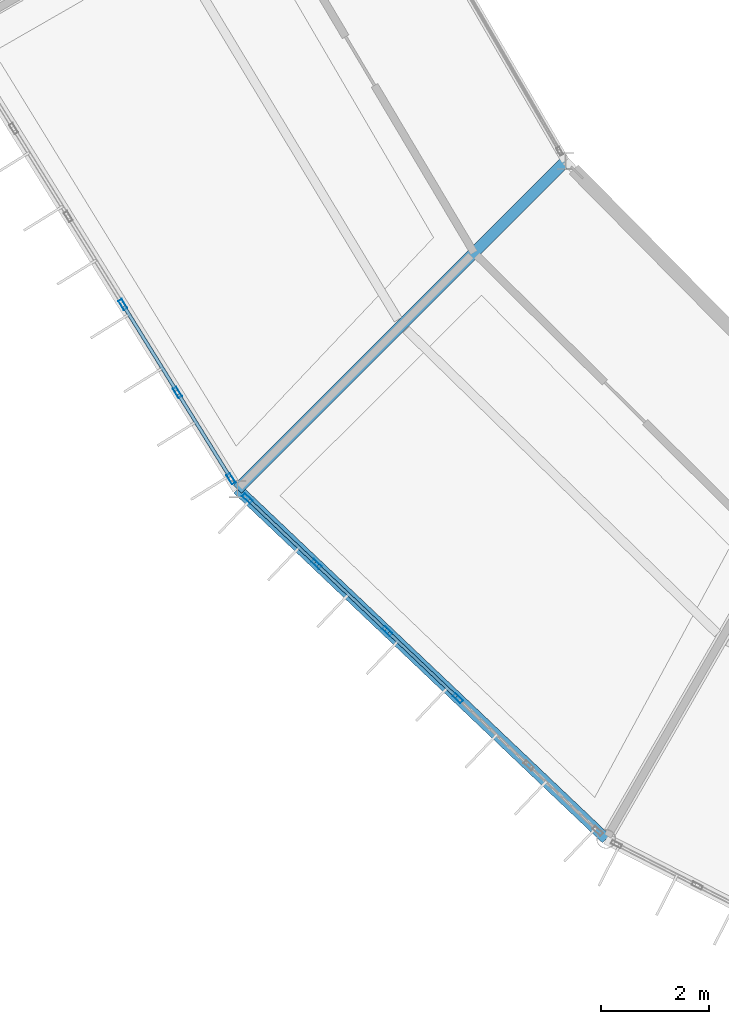
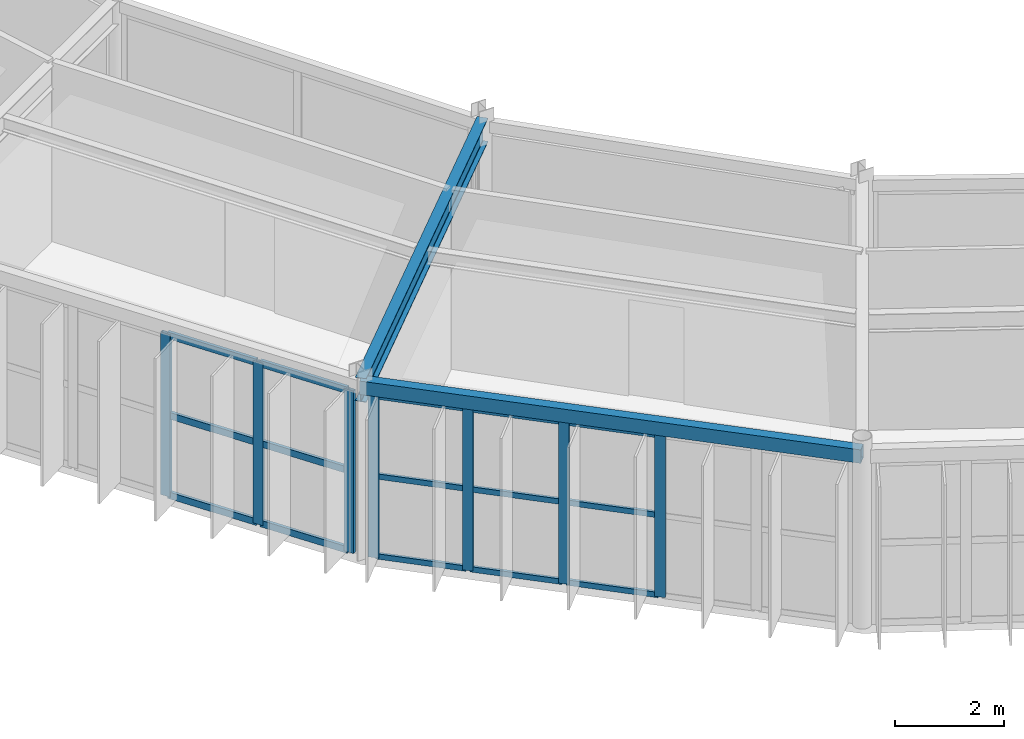
# One storey, part 26 of 147: 22 members, 2 beams, 2 elements without a shape of their own.
"""IFC4 building model written with IfcOpenShell, lengths in metres."""

from ifc_helpers import new_model, si_unit, direction, frame, origin, origin_2d, place, context, subcontext, project, spatial, hollow_rectangle, i_section, extrude, material, material_profile, profile_set, type_object, element, aggregate, save


model = new_model("IFC4")

# Units and contexts
model_context = context("Model", 3, precision=1e-05, world=origin(), true_north=direction((0.0, 1.0)))
body_context = subcontext(model_context, "Body", "Model", "MODEL_VIEW")
ifc_project = project(units=[si_unit("LENGTHUNIT", "METRE"), si_unit("AREAUNIT", "SQUARE_METRE"), si_unit("VOLUMEUNIT", "CUBIC_METRE"), si_unit("PLANEANGLEUNIT", "RADIAN"), si_unit("MASSUNIT", "GRAM", prefix="KILO")], contexts=[model_context])

# Site, building, storey
site_placement = place(None, origin())
site = spatial("IfcSite", under=ifc_project, at=site_placement, CompositionType="ELEMENT")
building_placement = place(site_placement, origin())
building = spatial("IfcBuilding", under=site, at=building_placement, Name="Karori Crest Natural Sciences Institute", CompositionType="ELEMENT")
storey_placement = place(building_placement, frame((0.0, 0.0, 9.10009765625)))
storey = spatial("IfcBuildingStorey", under=building, at=storey_placement, Name="L02", CompositionType="ELEMENT", Elevation=9.10009765625)

# Beams
ifc_material_1 = material(Name="Structural steel AS/NZS 3679.1 Grade 350", Category="steel")
ifc_material_profile_1 = material_profile(ifc_material_1, i_section(OverallWidth=0.208984375, OverallDepth=0.532958984375, WebThickness=0.01025390625, FlangeThickness=0.015625, FilletRadius=0.013916015625, at=origin_2d()), Name="530UB92.4")
ifc_profile_set_1 = profile_set([ifc_material_profile_1], Name="Structural steel AS/NZS 3679.1 Grade 350")
beam_type_1 = type_object("IfcBeamType", Name="BT-05", PredefinedType="BEAM", material=ifc_profile_set_1)
beam_1_placement = place(storey_placement, frame((49.146484375, 27.131103515625, 3.67333984375), z_axis=(-0.707106781187, -0.707106781187, 0.0), x_axis=(0.707106781187, -0.707106781187, 0.0)))
element("IfcBeam", 1, at=beam_1_placement, inside=storey, type_object=beam_type_1, Name="Beam B-0328", PredefinedType="BEAM", context=body_context, shape_type="SweptSolid", body=[
    extrude(i_section(OverallWidth=0.208984375, OverallDepth=0.532958984375, WebThickness=0.01025390625, FlangeThickness=0.015625, FilletRadius=0.013916015625, at=origin_2d()), origin(), (0.0, 0.0, 1.0), 8.599853515625),
])
ifc_material_2 = material(Name="Hollow structural steel AS/NZS 1163 Grade C350", Category="steel")
ifc_material_profile_2 = material_profile(ifc_material_2, hollow_rectangle(XDim=0.199951171875, YDim=0.300048828125, WallThickness=0.010009765625, at=origin_2d()), Name="RHS300x200x10")
ifc_profile_set_2 = profile_set([ifc_material_profile_2], Name="Hollow structural steel AS/NZS 1163 Grade C350")
beam_type_2 = type_object("IfcBeamType", Name="BT-15", PredefinedType="SPANDREL", material=ifc_profile_set_2)
beam_2_placement = place(storey_placement, frame((43.0654296875, 21.050048828125, 3.789794921875), z_axis=(0.72546900706, -0.688254836376, 0.0), x_axis=(0.688254836376, 0.72546900706, 0.0)))
element("IfcBeam", 2, at=beam_2_placement, inside=storey, type_object=beam_type_2, Name="Beam B-0326", PredefinedType="SPANDREL", context=body_context, shape_type="SweptSolid", body=[
    extrude(hollow_rectangle(XDim=0.199951171875, YDim=0.300048828125, WallThickness=0.010009765625, at=origin_2d()), origin(), (0.0, 0.0, 1.0), 9.420654296875),
])

# Curtain wall, members
ifc_material_3 = material(Name="Anodised architectural aluminium 6063-T6", Category="aluminium")
curtain_wall_type_1 = type_object("IfcCurtainWallType", Name="CWT-05", PredefinedType="NOTDEFINED", material=ifc_material_3)
curtain_wall_1_placement = place(storey_placement, origin())
curtain_wall_1 = element("IfcCurtainWall", 3, at=curtain_wall_1_placement, inside=storey, type_object=curtain_wall_type_1, Name="Curtain wall CW-0085", PredefinedType="NOTDEFINED")
ifc_material_profile_3 = material_profile(ifc_material_3, hollow_rectangle(XDim=0.074951171875, YDim=0.199951171875, WallThickness=0.0048828125, at=origin_2d()), Name="CWM200x75x5")
ifc_profile_set_3 = profile_set([ifc_material_profile_3], Name="Anodised architectural aluminium 6063-T6")
member_type_1 = type_object("IfcMemberType", Name="CWM-02", PredefinedType="MULLION", material=ifc_profile_set_3)
member_1_placement = place(storey_placement, frame((42.9453125, 21.24365234375, 0.0), z_axis=(0.0, 0.0, 1.0), x_axis=(-0.849665769424, -0.527321609902, 0.0)))
member_1 = element("IfcMember", 4, at=member_1_placement, type_object=member_type_1, Name="CW-0085 mullion 1", PredefinedType="MULLION", context=body_context, shape_type="SweptSolid", body=[
    extrude(hollow_rectangle(XDim=0.074951171875, YDim=0.199951171875, WallThickness=0.0048828125, at=origin_2d()), origin(), (0.0, 0.0, 1.0), 3.625),
])
member_2_placement = place(storey_placement, frame((41.953125, 22.84228515625, 0.0), z_axis=(0.0, 0.0, 1.0), x_axis=(-0.849665769424, -0.527321609902, 0.0)))
member_2 = element("IfcMember", 5, at=member_2_placement, type_object=member_type_1, Name="CW-0085 mullion 2", PredefinedType="MULLION", context=body_context, shape_type="SweptSolid", body=[
    extrude(hollow_rectangle(XDim=0.074951171875, YDim=0.199951171875, WallThickness=0.0048828125, at=origin_2d()), origin(), (0.0, 0.0, 1.0), 3.625),
])
member_3_placement = place(storey_placement, frame((40.94140625, 24.47265625, 0.0), z_axis=(0.0, 0.0, 1.0), x_axis=(-0.849665769424, -0.527321609902, 0.0)))
member_3 = element("IfcMember", 6, at=member_3_placement, type_object=member_type_1, Name="CW-0085 mullion 3", PredefinedType="MULLION", context=body_context, shape_type="SweptSolid", body=[
    extrude(hollow_rectangle(XDim=0.074951171875, YDim=0.199951171875, WallThickness=0.0048828125, at=origin_2d()), origin(), (0.0, 0.0, 1.0), 3.625),
])

curtain_wall_type_2 = type_object("IfcCurtainWallType", Name="CWT-06", PredefinedType="NOTDEFINED", material=ifc_material_3)
curtain_wall_2_placement = place(storey_placement, origin())
curtain_wall_2 = element("IfcCurtainWall", 7, at=curtain_wall_2_placement, inside=storey, type_object=curtain_wall_type_2, Name="Curtain wall CW-0087", PredefinedType="NOTDEFINED")
member_4_placement = place(storey_placement, frame((47.1513671875, 17.173828125, 0.0), z_axis=(0.0, 0.0, 1.0), x_axis=(-0.688245939986, -0.725477446992, 0.0)))
member_4 = element("IfcMember", 8, at=member_4_placement, type_object=member_type_1, Name="CW-0087 mullion 3", PredefinedType="MULLION", context=body_context, shape_type="SweptSolid", body=[
    extrude(hollow_rectangle(XDim=0.074951171875, YDim=0.199951171875, WallThickness=0.0048828125, at=origin_2d()), origin(), (0.0, 0.0, 1.0), 3.625),
])
member_5_placement = place(storey_placement, frame((45.8408203125, 18.417236328125, 0.0), z_axis=(0.0, 0.0, 1.0), x_axis=(-0.688245939986, -0.725477446992, 0.0)))
member_5 = element("IfcMember", 9, at=member_5_placement, type_object=member_type_1, Name="CW-0087 mullion 4", PredefinedType="MULLION", context=body_context, shape_type="SweptSolid", body=[
    extrude(hollow_rectangle(XDim=0.074951171875, YDim=0.199951171875, WallThickness=0.0048828125, at=origin_2d()), origin(), (0.0, 0.0, 1.0), 3.625),
])
member_6_placement = place(storey_placement, frame((44.530029296875, 19.66064453125, 0.0), z_axis=(0.0, 0.0, 1.0), x_axis=(-0.688245939986, -0.725477446992, 0.0)))
member_6 = element("IfcMember", 10, at=member_6_placement, type_object=member_type_1, Name="CW-0087 mullion 5", PredefinedType="MULLION", context=body_context, shape_type="SweptSolid", body=[
    extrude(hollow_rectangle(XDim=0.074951171875, YDim=0.199951171875, WallThickness=0.0048828125, at=origin_2d()), origin(), (0.0, 0.0, 1.0), 3.625),
])
member_7_placement = place(storey_placement, frame((43.246826171875, 20.878173828125, 0.0), z_axis=(0.0, 0.0, 1.0), x_axis=(-0.688245939986, -0.725477446992, 0.0)))
member_7 = element("IfcMember", 11, at=member_7_placement, type_object=member_type_1, Name="CW-0087 mullion 6", PredefinedType="MULLION", context=body_context, shape_type="SweptSolid", body=[
    extrude(hollow_rectangle(XDim=0.074951171875, YDim=0.199951171875, WallThickness=0.0048828125, at=origin_2d()), origin(), (0.0, 0.0, 1.0), 3.625),
])
ifc_material_profile_4 = material_profile(ifc_material_3, hollow_rectangle(XDim=0.06005859375, YDim=0.1201171875, WallThickness=0.00390625, at=origin_2d()), Name="CWT120x60x4")
ifc_profile_set_4 = profile_set([ifc_material_profile_4], Name="Anodised architectural aluminium 6063-T6")
member_type_2 = type_object("IfcMemberType", Name="CWT-TR1", PredefinedType="USERDEFINED", material=ifc_profile_set_4)
member_8_placement = place(storey_placement, frame((47.1240234375, 17.19970703125, 0.02978515625), z_axis=(-0.725474530002, 0.68824901476, 0.0), x_axis=(-0.68824901476, -0.725474530002, 0.0)))
member_8 = element("IfcMember", 12, at=member_8_placement, type_object=member_type_2, Name="CW-0087 transom 3.1", ObjectType="TRANSOM", PredefinedType="USERDEFINED", context=body_context, shape_type="SweptSolid", body=[
    extrude(hollow_rectangle(XDim=0.06005859375, YDim=0.1201171875, WallThickness=0.00390625, at=origin_2d()), origin(), (0.0, 0.0, 1.0), 1.7314453125),
])
member_9_placement = place(storey_placement, frame((47.1240234375, 17.19970703125, 1.8125), z_axis=(-0.725474530002, 0.68824901476, 0.0), x_axis=(-0.68824901476, -0.725474530002, 0.0)))
member_9 = element("IfcMember", 13, at=member_9_placement, type_object=member_type_2, Name="CW-0087 transom 3.2", ObjectType="TRANSOM", PredefinedType="USERDEFINED", context=body_context, shape_type="SweptSolid", body=[
    extrude(hollow_rectangle(XDim=0.06005859375, YDim=0.1201171875, WallThickness=0.00390625, at=origin_2d()), origin(), (0.0, 0.0, 1.0), 1.7314453125),
])
member_10_placement = place(storey_placement, frame((47.1240234375, 17.19970703125, 3.594970703125), z_axis=(-0.725474530002, 0.68824901476, 0.0), x_axis=(-0.68824901476, -0.725474530002, 0.0)))
member_10 = element("IfcMember", 14, at=member_10_placement, type_object=member_type_2, Name="CW-0087 transom 3.3", ObjectType="TRANSOM", PredefinedType="USERDEFINED", context=body_context, shape_type="SweptSolid", body=[
    extrude(hollow_rectangle(XDim=0.06005859375, YDim=0.1201171875, WallThickness=0.00390625, at=origin_2d()), origin(), (0.0, 0.0, 1.0), 1.7314453125),
])
member_11_placement = place(storey_placement, frame((45.8134765625, 18.443115234375, 0.02978515625), z_axis=(-0.725474530002, 0.68824901476, 0.0), x_axis=(-0.68824901476, -0.725474530002, 0.0)))
member_11 = element("IfcMember", 15, at=member_11_placement, type_object=member_type_2, Name="CW-0087 transom 4.1", ObjectType="TRANSOM", PredefinedType="USERDEFINED", context=body_context, shape_type="SweptSolid", body=[
    extrude(hollow_rectangle(XDim=0.06005859375, YDim=0.1201171875, WallThickness=0.00390625, at=origin_2d()), origin(), (0.0, 0.0, 1.0), 1.7314453125),
])
member_12_placement = place(storey_placement, frame((45.8134765625, 18.443115234375, 1.8125), z_axis=(-0.725474530002, 0.68824901476, 0.0), x_axis=(-0.68824901476, -0.725474530002, 0.0)))
member_12 = element("IfcMember", 16, at=member_12_placement, type_object=member_type_2, Name="CW-0087 transom 4.2", ObjectType="TRANSOM", PredefinedType="USERDEFINED", context=body_context, shape_type="SweptSolid", body=[
    extrude(hollow_rectangle(XDim=0.06005859375, YDim=0.1201171875, WallThickness=0.00390625, at=origin_2d()), origin(), (0.0, 0.0, 1.0), 1.7314453125),
])
member_13_placement = place(storey_placement, frame((45.8134765625, 18.443115234375, 3.594970703125), z_axis=(-0.725474530002, 0.68824901476, 0.0), x_axis=(-0.68824901476, -0.725474530002, 0.0)))
member_13 = element("IfcMember", 17, at=member_13_placement, type_object=member_type_2, Name="CW-0087 transom 4.3", ObjectType="TRANSOM", PredefinedType="USERDEFINED", context=body_context, shape_type="SweptSolid", body=[
    extrude(hollow_rectangle(XDim=0.06005859375, YDim=0.1201171875, WallThickness=0.00390625, at=origin_2d()), origin(), (0.0, 0.0, 1.0), 1.7314453125),
])
member_14_placement = place(storey_placement, frame((44.5029296875, 19.686279296875, 0.02978515625), z_axis=(-0.72545262833, 0.688272100299, 0.0), x_axis=(-0.688272100299, -0.72545262833, 0.0)))
member_14 = element("IfcMember", 18, at=member_14_placement, type_object=member_type_2, Name="CW-0087 transom 5.1", ObjectType="TRANSOM", PredefinedType="USERDEFINED", context=body_context, shape_type="SweptSolid", body=[
    extrude(hollow_rectangle(XDim=0.06005859375, YDim=0.1201171875, WallThickness=0.00390625, at=origin_2d()), origin(), (0.0, 0.0, 1.0), 1.694091796875),
])
member_15_placement = place(storey_placement, frame((44.5029296875, 19.686279296875, 1.8125), z_axis=(-0.72545262833, 0.688272100299, 0.0), x_axis=(-0.688272100299, -0.72545262833, 0.0)))
member_15 = element("IfcMember", 19, at=member_15_placement, type_object=member_type_2, Name="CW-0087 transom 5.2", ObjectType="TRANSOM", PredefinedType="USERDEFINED", context=body_context, shape_type="SweptSolid", body=[
    extrude(hollow_rectangle(XDim=0.06005859375, YDim=0.1201171875, WallThickness=0.00390625, at=origin_2d()), origin(), (0.0, 0.0, 1.0), 1.694091796875),
])
member_16_placement = place(storey_placement, frame((44.5029296875, 19.686279296875, 3.594970703125), z_axis=(-0.72545262833, 0.688272100299, 0.0), x_axis=(-0.688272100299, -0.72545262833, 0.0)))
member_16 = element("IfcMember", 20, at=member_16_placement, type_object=member_type_2, Name="CW-0087 transom 5.3", ObjectType="TRANSOM", PredefinedType="USERDEFINED", context=body_context, shape_type="SweptSolid", body=[
    extrude(hollow_rectangle(XDim=0.06005859375, YDim=0.1201171875, WallThickness=0.00390625, at=origin_2d()), origin(), (0.0, 0.0, 1.0), 1.694091796875),
])
aggregate(curtain_wall_2, [member_4, member_5, member_6, member_7, member_8, member_9, member_10, member_11, member_12, member_13, member_14, member_15, member_16])

# Member
ifc_material_profile_5 = material_profile(ifc_material_3, hollow_rectangle(XDim=0.06494140625, YDim=0.14990234375, WallThickness=0.00390625, at=origin_2d()), Name="CWT150x65x4")
ifc_profile_set_5 = profile_set([ifc_material_profile_5], Name="Anodised architectural aluminium 6063-T6")
member_type_3 = type_object("IfcMemberType", Name="CWT-TR2", PredefinedType="USERDEFINED", material=ifc_profile_set_5)
member_17_placement = place(storey_placement, frame((42.925537109375, 21.275634765625, 0.032470703125), z_axis=(-0.527396506483, 0.849619282355, 0.0), x_axis=(-0.849619282355, -0.527396506483, 0.0)))
member_17 = element("IfcMember", 21, at=member_17_placement, type_object=member_type_3, Name="CW-0085 transom 1.1", ObjectType="TRANSOM", PredefinedType="USERDEFINED", context=body_context, shape_type="SweptSolid", body=[
    extrude(hollow_rectangle(XDim=0.06494140625, YDim=0.14990234375, WallThickness=0.00390625, at=origin_2d()), origin(), (0.0, 0.0, 1.0), 1.806396484375),
])

member_18_placement = place(storey_placement, frame((42.925537109375, 21.275634765625, 1.8125), z_axis=(-0.527396506483, 0.849619282355, 0.0), x_axis=(-0.849619282355, -0.527396506483, 0.0)))
member_18 = element("IfcMember", 22, at=member_18_placement, type_object=member_type_3, Name="CW-0085 transom 1.2", ObjectType="TRANSOM", PredefinedType="USERDEFINED", context=body_context, shape_type="SweptSolid", body=[
    extrude(hollow_rectangle(XDim=0.06494140625, YDim=0.14990234375, WallThickness=0.00390625, at=origin_2d()), origin(), (0.0, 0.0, 1.0), 1.806396484375),
])

member_19_placement = place(storey_placement, frame((42.925537109375, 21.275634765625, 3.59228515625), z_axis=(-0.527396506483, 0.849619282355, 0.0), x_axis=(-0.849619282355, -0.527396506483, 0.0)))
member_19 = element("IfcMember", 23, at=member_19_placement, type_object=member_type_3, Name="CW-0085 transom 1.3", ObjectType="TRANSOM", PredefinedType="USERDEFINED", context=body_context, shape_type="SweptSolid", body=[
    extrude(hollow_rectangle(XDim=0.06494140625, YDim=0.14990234375, WallThickness=0.00390625, at=origin_2d()), origin(), (0.0, 0.0, 1.0), 1.806396484375),
])

member_20_placement = place(storey_placement, frame((41.933349609375, 22.8740234375, 0.032470703125), z_axis=(-0.527211248456, 0.849734252282, 0.0), x_axis=(-0.849734252282, -0.527211248456, 0.0)))
member_20 = element("IfcMember", 24, at=member_20_placement, type_object=member_type_3, Name="CW-0085 transom 2.1", ObjectType="TRANSOM", PredefinedType="USERDEFINED", context=body_context, shape_type="SweptSolid", body=[
    extrude(hollow_rectangle(XDim=0.06494140625, YDim=0.14990234375, WallThickness=0.00390625, at=origin_2d()), origin(), (0.0, 0.0, 1.0), 1.843994140625),
])

member_21_placement = place(storey_placement, frame((41.933349609375, 22.8740234375, 1.8125), z_axis=(-0.527211248456, 0.849734252282, 0.0), x_axis=(-0.849734252282, -0.527211248456, 0.0)))
member_21 = element("IfcMember", 25, at=member_21_placement, type_object=member_type_3, Name="CW-0085 transom 2.2", ObjectType="TRANSOM", PredefinedType="USERDEFINED", context=body_context, shape_type="SweptSolid", body=[
    extrude(hollow_rectangle(XDim=0.06494140625, YDim=0.14990234375, WallThickness=0.00390625, at=origin_2d()), origin(), (0.0, 0.0, 1.0), 1.843994140625),
])

member_22_placement = place(storey_placement, frame((41.933349609375, 22.8740234375, 3.59228515625), z_axis=(-0.527211248456, 0.849734252282, 0.0), x_axis=(-0.849734252282, -0.527211248456, 0.0)))
member_22 = element("IfcMember", 26, at=member_22_placement, type_object=member_type_3, Name="CW-0085 transom 2.3", ObjectType="TRANSOM", PredefinedType="USERDEFINED", context=body_context, shape_type="SweptSolid", body=[
    extrude(hollow_rectangle(XDim=0.06494140625, YDim=0.14990234375, WallThickness=0.00390625, at=origin_2d()), origin(), (0.0, 0.0, 1.0), 1.843994140625),
])

aggregate(curtain_wall_1, [member_1, member_2, member_3, member_17, member_18, member_19, member_20, member_21, member_22])

save(model, "model.ifc")
